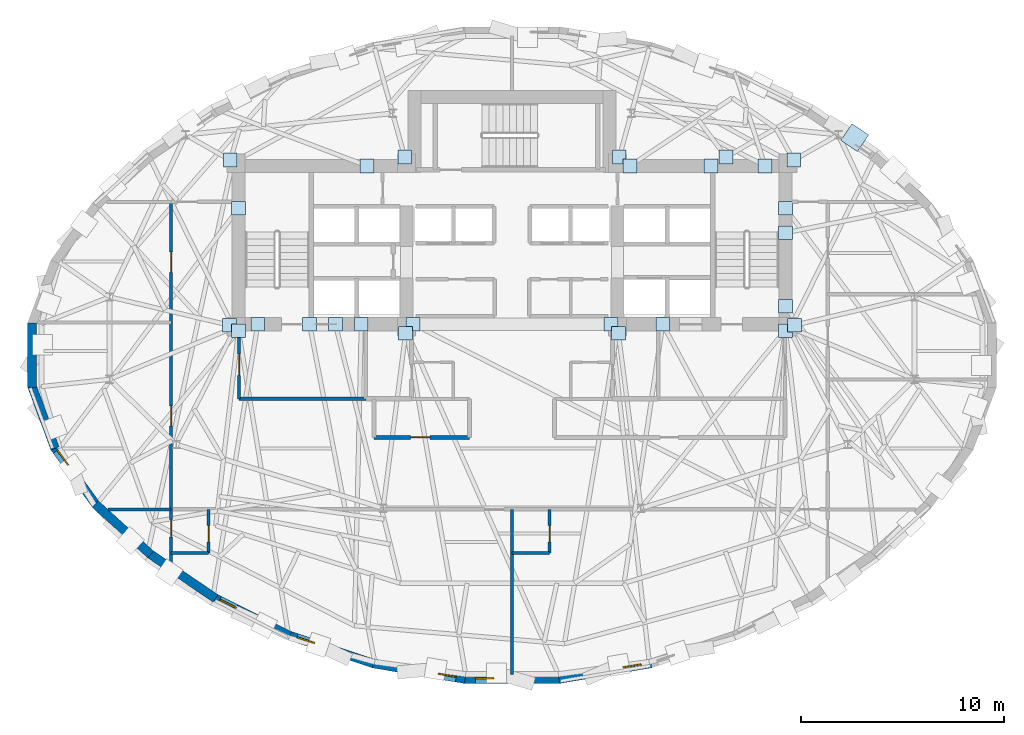
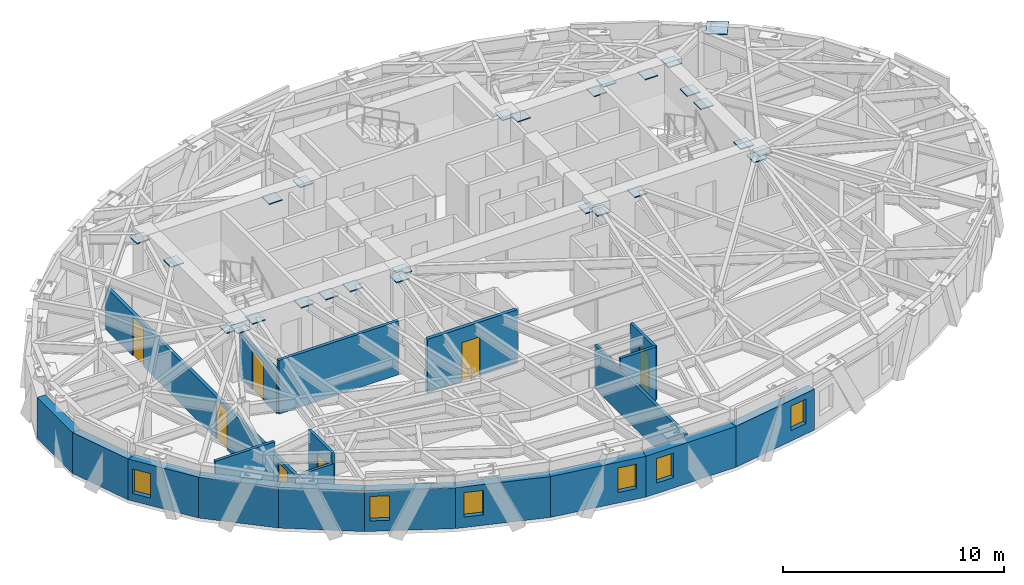
# One storey, part 5 of 12: 27 plates, 20 walls, 7 doors, 6 windows, 13 openings.
"""IFC4 building model written with IfcOpenShell, lengths in metres."""

import ifcopenshell
import ifcopenshell.guid

model = None  # the IFC model being written
_history = None  # IfcOwnerHistory: only IFC2X3 demands one
_inside = {}  # id of a spatial element -> (the spatial element, [elements in it])
_under = {}  # id of a project, library or spatial element -> (it, [spatial elements below it])
_declared = {}  # id of a project -> (the project, [libraries it declares])
_typed = {}  # id of a type object -> (the type object, [elements of that type])
_made_of = {}  # id of a material, layer set ... -> (it, [elements and type objects made of it])


def new_model(schema):
    """Start an empty IFC model of exactly this schema.

    Asked for "IFC4X3", IfcOpenShell would pick the latest addendum, in which some entities
    have other attributes; the version numbers below select the first issue.
    IFC2X3 requires an IfcOwnerHistory on every rooted entity: one is made here for all.
    """
    global model, _history
    if schema == "IFC4X3":
        model = ifcopenshell.file(schema_version=(4, 3, 0, 0))
    else:
        model = ifcopenshell.file(schema=schema)
    _inside.clear()
    _under.clear()
    _declared.clear()
    _typed.clear()
    _made_of.clear()
    _history = None
    if model.schema == "IFC2X3":
        org = make("IfcOrganization", Name="unknown")
        user = make(
            "IfcPersonAndOrganization",
            ThePerson=make("IfcPerson", FamilyName="unknown"),
            TheOrganization=org,
        )
        app = make(
            "IfcApplication",
            ApplicationDeveloper=org,
            Version="unknown",
            ApplicationFullName="unknown",
            ApplicationIdentifier="unknown",
        )
        _history = make(
            "IfcOwnerHistory",
            OwningUser=user,
            OwningApplication=app,
            ChangeAction="ADDED",
            CreationDate=0,
        )
    return model


def make(cls, **values):
    """One entity of the class cls with the attributes given. An attribute that is None is left unset."""
    return model.create_entity(
        cls, **{name: value for name, value in values.items() if value is not None}
    )


def rooted(cls, **values):
    """An entity with a GlobalId (a new one), such as an element, a storey or a relation."""
    return make(cls, GlobalId=ifcopenshell.guid.new(), OwnerHistory=_history, **values)


def si_unit(unit_type, name, prefix=None):
    """IfcSIUnit, for example si_unit("LENGTHUNIT", "METRE", prefix="MILLI")."""
    return make("IfcSIUnit", UnitType=unit_type, Prefix=prefix, Name=name)


def assignment(units):
    """IfcUnitAssignment: the units of a project."""
    return None if units is None else make("IfcUnitAssignment", Units=units)


def point(xyz):
    """IfcCartesianPoint."""
    return None if xyz is None else make("IfcCartesianPoint", Coordinates=xyz)


def direction(xyz):
    """IfcDirection."""
    return None if xyz is None else make("IfcDirection", DirectionRatios=xyz)


def frame(location, z_axis=None, x_axis=None):
    """IfcAxis2Placement3D, a coordinate frame: its origin and axes. An axis left out is left unset."""
    return make(
        "IfcAxis2Placement3D",
        Location=point(location),
        Axis=direction(z_axis),
        RefDirection=direction(x_axis),
    )


def frame_2d(location, x_axis=None):
    """IfcAxis2Placement2D, a coordinate frame in the plane: its origin and x axis."""
    return make(
        "IfcAxis2Placement2D", Location=point(location), RefDirection=direction(x_axis)
    )


def origin():
    """The frame at (0, 0, 0) with its axes left unset."""
    return frame((0.0, 0.0, 0.0))


def origin_2d():
    """The frame at (0, 0) in the plane with its x axis left unset."""
    return frame_2d((0.0, 0.0))


def place(relative_to, where):
    """IfcLocalPlacement: puts the frame where relative to a parent placement (None: the world)."""
    return make(
        "IfcLocalPlacement", PlacementRelTo=relative_to, RelativePlacement=where
    )


def context(
    kind, dimensions, precision=None, world=None, true_north=None, identifier=None
):
    """IfcGeometricRepresentationContext, for example the 3D "Model" context."""
    return make(
        "IfcGeometricRepresentationContext",
        ContextIdentifier=identifier,
        ContextType=kind,
        CoordinateSpaceDimension=dimensions,
        Precision=precision,
        WorldCoordinateSystem=world,
        TrueNorth=true_north,
    )


def subcontext(parent, identifier, kind, view, scale=None):
    """IfcGeometricRepresentationSubContext, for example "Body" below "Model"."""
    return make(
        "IfcGeometricRepresentationSubContext",
        ContextIdentifier=identifier,
        ContextType=kind,
        ParentContext=parent,
        TargetScale=scale,
        TargetView=view,
    )


def project(units=None, contexts=None):
    """IfcProject with its units and contexts."""
    return rooted(
        "IfcProject",
        Name="project",
        RepresentationContexts=contexts,
        UnitsInContext=assignment(units),
    )


def spatial(cls, under=None, at=None, **own):
    """A site, building, storey or space (cls), placed at a placement, below another one or the project."""
    s = rooted(cls, ObjectPlacement=at, **own)
    if under is not None:
        _under.setdefault(under.id(), (under, []))[1].append(s)
    return s


def profile(cls, at=None, kind="AREA", **sizes):
    """A parametric profile (cls). Its sizes go by their IFC names, for example OverallWidth=200.0."""
    return make(cls, ProfileType=kind, Position=at, **sizes)


def rectangle(**sizes):
    """IfcRectangleProfileDef."""
    return profile("IfcRectangleProfileDef", **sizes)


def extrude(swept, where, along, depth):
    """IfcExtrudedAreaSolid: the profile swept, set in the frame where, extruded along a direction by depth."""
    return make(
        "IfcExtrudedAreaSolid",
        SweptArea=swept,
        Position=where,
        ExtrudedDirection=direction(along),
        Depth=depth,
    )


def shape(context_of_items, identifier, shape_type, items):
    """IfcShapeRepresentation: the items that make up one representation, for example the "Body"."""
    return make(
        "IfcShapeRepresentation",
        ContextOfItems=context_of_items,
        RepresentationIdentifier=identifier,
        RepresentationType=shape_type,
        Items=items,
    )


def material(Name=None, Category=None):
    """IfcMaterial."""
    return make("IfcMaterial", Name=Name, Category=Category)


def layer(
    of_material, thickness, ventilated=None, Name=None, Category=None, Priority=None
):
    """IfcMaterialLayer: one layer of a wall or slab, of a material (None: an air gap)."""
    return make(
        "IfcMaterialLayer",
        Material=of_material,
        LayerThickness=thickness,
        IsVentilated=ventilated,
        Name=Name,
        Category=Category,
        Priority=Priority,
    )


def layer_set(layers, Name=None):
    """IfcMaterialLayerSet."""
    return make("IfcMaterialLayerSet", MaterialLayers=layers, LayerSetName=Name)


def made_of(thing, what):
    """Note that an element or type object is made of a material, layer set ...; save() writes the relation."""
    if what is not None:
        _made_of.setdefault(what.id(), (what, []))[1].append(thing)
    return thing


def type_object(cls, material=None, **own):
    """A type object (cls), such as IfcWallType, which elements share."""
    return made_of(rooted(cls, **own), material)


def element(
    cls,
    number,
    at=None,
    inside=None,
    cuts=None,
    type_object=None,
    material=None,
    context=None,
    identifier="Body",
    shape_type=None,
    held_by="IfcProductDefinitionShape",
    body=None,
    shapes=None,
    **own,
):
    """One element of the class cls, such as IfcWall. Its Tag is "e" and its number.

    at: its placement. inside: the storey or other place that contains it. cuts: it is an
    opening in that element (IfcRelVoidsElement). A single representation is given by context,
    identifier, shape_type and body (its items); several are given by shapes. held_by: the class
    of the entity that holds the representations. save() writes the other relations.
    """
    e = rooted(cls, Tag="e%d" % number, ObjectPlacement=at, **own)
    if body is not None:
        shapes = [shape(context, identifier, shape_type, body)]
    if shapes is not None:
        e.Representation = make(held_by, Representations=shapes)
    if inside is not None:
        _inside.setdefault(inside.id(), (inside, []))[1].append(e)
    if cuts is not None:
        rooted(
            "IfcRelVoidsElement", RelatingBuildingElement=cuts, RelatedOpeningElement=e
        )
    if type_object is not None:
        _typed.setdefault(type_object.id(), (type_object, []))[1].append(e)
    return made_of(e, material)


def fill(opening, filler):
    """IfcRelFillsElement: the door or window that sits in an opening."""
    return rooted(
        "IfcRelFillsElement",
        RelatingOpeningElement=opening,
        RelatedBuildingElement=filler,
    )


def aggregate(whole, parts):
    """IfcRelAggregates: a whole, such as a stair, and the parts it consists of."""
    return rooted("IfcRelAggregates", RelatingObject=whole, RelatedObjects=parts)


def save(model, path):
    """Write the relations noted so far, then the file.

    IfcRelAggregates (storeys below a building ...), IfcRelContainedInSpatialStructure (elements
    in a storey), IfcRelDefinesByType, IfcRelAssociatesMaterial and IfcRelDeclares: one each for
    every whole, place, type object, material and project.
    """
    for whole, parts in _under.values():
        aggregate(whole, parts)
    for where, things in _inside.values():
        rooted(
            "IfcRelContainedInSpatialStructure",
            RelatedElements=things,
            RelatingStructure=where,
        )
    for kind, things in _typed.values():
        rooted("IfcRelDefinesByType", RelatedObjects=things, RelatingType=kind)
    for what, things in _made_of.values():
        rooted("IfcRelAssociatesMaterial", RelatedObjects=things, RelatingMaterial=what)
    for by, libraries in _declared.values():
        rooted("IfcRelDeclares", RelatingContext=by, RelatedDefinitions=libraries)
    model.write(path)


model = new_model("IFC4")

# Units and contexts
model_context = context("Model", 3, precision=1e-05, world=origin(), true_north=direction((0.0, 1.0)))
body_context = subcontext(model_context, "Body", "Model", "MODEL_VIEW")
ifc_project = project(units=[si_unit("LENGTHUNIT", "METRE"), si_unit("AREAUNIT", "SQUARE_METRE"), si_unit("VOLUMEUNIT", "CUBIC_METRE"), si_unit("PLANEANGLEUNIT", "RADIAN"), si_unit("MASSUNIT", "GRAM", prefix="KILO")], contexts=[model_context])

# Site, building, storey
site_placement = place(None, origin())
site = spatial("IfcSite", under=ifc_project, at=site_placement, CompositionType="ELEMENT")
building_placement = place(site_placement, origin())
building = spatial("IfcBuilding", under=site, at=building_placement, Name="Keldmark Tower", CompositionType="ELEMENT")
storey_placement = place(building_placement, frame((0.0, 0.0, 198.199951171875)))
storey = spatial("IfcBuildingStorey", under=building, at=storey_placement, Name="L55", CompositionType="ELEMENT", Elevation=198.199951171875)

# Plates
ifc_material_1 = material(Name="Steel ASTM A572 Grade 50", Category="steel")
ifc_layer_1 = layer(ifc_material_1, 0.06005859375)
ifc_layer_set_1 = layer_set([ifc_layer_1], Name="Steel ASTM A572 Grade 50")
plate_type_1 = type_object("IfcPlateType", Name="Belt Truss Kink Node Assembly KN01 60 mm", PredefinedType="USERDEFINED", material=ifc_layer_set_1)
for number, where, z_axis, x_axis, name in (
    (1, (13.91162109375, 1.473388671875, 2.6640625), (0.0, 0.0, 1.0), (1.0, 0.0, 0.0), "L55 Core Wall Cast-In Embed Plate 1617"),
    (2, (13.878173828125, 9.608154296875, 2.6640625), (0.0, 0.0, 1.0), (1.0, 0.0, 0.0), "L55 Core Wall Cast-In Embed Plate 1618"),
    (3, (5.28515625, 9.758544921875, 2.6640625), (0.0, 0.0, 1.0), (1.0, 0.0, 0.0), "L55 Core Wall Cast-In Embed Plate 1619"),
    (4, (-5.28515625, 9.758544921875, 2.6640625), (0.0, 0.0, 1.0), (1.0, 0.0, 0.0), "L55 Core Wall Cast-In Embed Plate 1620"),
    (5, (-13.878173828125, 9.608154296875, 2.6640625), (0.0, 0.0, 1.0), (1.0, 0.0, 0.0), "L55 Core Wall Cast-In Embed Plate 1621"),
    (6, (-13.91162109375, 1.473388671875, 2.6640625), (0.0, 0.0, 1.0), (1.0, 0.0, 0.0), "L55 Core Wall Cast-In Embed Plate 1622"),
    (7, (-5.24072265625, 1.08251953125, 2.6640625), (0.0, 0.0, 1.0), (1.0, 0.0, 0.0), "L55 Core Wall Cast-In Embed Plate 1623"),
    (8, (5.24072265625, 1.08251953125, 2.6640625), (0.0, 0.0, 1.0), (1.0, 0.0, 0.0), "L55 Core Wall Cast-In Embed Plate 1624"),
    (9, (-13.47509765625, 1.199951171875, 2.6640625), (0.0, 0.0, 1.0), (1.0, 0.0, 0.0), "L55 Core Wall Cast-In Embed Plate 1625"),
    (10, (-8.699951171875, 1.52490234375, 2.6640625), (0.0, 0.0, 1.0), (1.0, 0.0, 0.0), "L55 Core Wall Cast-In Embed Plate 1626"),
    (11, (7.425048828125, 1.52490234375, 2.6640625), (0.0, 0.0, 1.0), (1.0, 0.0, 0.0), "L55 Core Wall Cast-In Embed Plate 1627"),
    (12, (13.47509765625, 1.199951171875, 2.6640625), (0.0, 0.0, 1.0), (1.0, 0.0, 0.0), "L55 Core Wall Cast-In Embed Plate 1628"),
    (13, (-7.425048828125, 1.52490234375, 2.6640625), (0.0, 0.0, 1.0), (1.0, 0.0, 0.0), "L55 Core Wall Cast-In Embed Plate 1629"),
    (14, (13.47509765625, 6.028564453125, 2.6640625), (0.0, 0.0, 1.0), (1.0, 0.0, 0.0), "L55 Core Wall Cast-In Embed Plate 1630"),
    (15, (9.8037109375, 9.324951171875, 2.6640625), (0.0, 0.0, 1.0), (1.0, 0.0, 0.0), "L55 Core Wall Cast-In Embed Plate 1631"),
    (16, (10.55029296875, 9.75830078125, 2.6640625), (0.0, 0.0, 1.0), (1.0, 0.0, 0.0), "L55 Core Wall Cast-In Embed Plate 1632"),
    (17, (5.80712890625, 9.324951171875, 2.6640625), (0.0, 0.0, 1.0), (1.0, 0.0, 0.0), "L55 Core Wall Cast-In Embed Plate 1633"),
    (18, (12.468017578125, 9.324951171875, 2.6640625), (0.0, 0.0, 1.0), (1.0, 0.0, 0.0), "L55 Core Wall Cast-In Embed Plate 1634"),
    (19, (-7.139404296875, 9.324951171875, 2.6640625), (0.0, 0.0, 1.0), (1.0, 0.0, 0.0), "L55 Core Wall Cast-In Embed Plate 1635"),
    (20, (-13.47509765625, 7.235595703125, 2.6640625), (0.0, 0.0, 1.0), (1.0, 0.0, 0.0), "L55 Core Wall Cast-In Embed Plate 1636"),
    (21, (-12.52490234375, 1.52490234375, 2.6640625), (0.0, 0.0, 1.0), (1.0, 0.0, 0.0), "L55 Core Wall Cast-In Embed Plate 1637"),
    (22, (-9.97509765625, 1.52490234375, 2.6640625), (0.0, 0.0, 1.0), (1.0, 0.0, 0.0), "L55 Core Wall Cast-In Embed Plate 1638"),
    (23, (4.875, 1.52490234375, 2.6640625), (0.0, 0.0, 1.0), (1.0, 0.0, 0.0), "L55 Core Wall Cast-In Embed Plate 1639"),
    (24, (-4.875, 1.52490234375, 2.6640625), (0.0, 0.0, 1.0), (1.0, 0.0, 0.0), "L55 Core Wall Cast-In Embed Plate 1640"),
    (25, (13.47509765625, 7.235595703125, 2.6640625), (0.0, 0.0, 1.0), (1.0, 0.0, 0.0), "L55 Core Wall Cast-In Embed Plate 1641"),
    (26, (13.47509765625, 2.406982421875, 2.6640625), (0.0, 0.0, 1.0), (1.0, 0.0, 0.0), "L55 Core Wall Cast-In Embed Plate 1642"),
):
    element("IfcPlate", number, at=place(storey_placement, frame(where, z_axis=z_axis, x_axis=x_axis)), inside=storey, type_object=plate_type_1, Name=name, ObjectType="CAP PLATE", PredefinedType="USERDEFINED", context=body_context, shape_type="SweptSolid", body=[
        extrude(rectangle(XDim=0.679931640625, YDim=0.679931640625, at=origin_2d()), origin(), (0.0, 0.0, 1.0), 0.054931640625),
    ])
ifc_material_2 = material(Name="Steel ASTM A572 Grade 50", Category="steel")
ifc_layer_2 = layer(ifc_material_2, 0.044921875)
ifc_layer_set_2 = layer_set([ifc_layer_2], Name="Steel ASTM A572 Grade 50")
plate_type_2 = type_object("IfcPlateType", Name="Diagrid Node Assembly DN04 45 mm", PredefinedType="USERDEFINED", material=ifc_layer_set_2)
plate_placement = place(storey_placement, frame((16.88818359375, 10.71533203125, 2.817626953125), z_axis=(0.0, 0.0, 1.0), x_axis=(-0.827668733006, 0.561216953062, 0.0)))
element("IfcPlate", 27, at=plate_placement, inside=storey, type_object=plate_type_2, Name="L55 Diagrid Node Assembly 04", ObjectType="GUSSET", PredefinedType="USERDEFINED", context=body_context, shape_type="SweptSolid", body=[
    extrude(rectangle(XDim=0.989990234375, YDim=0.989990234375, at=origin_2d()), origin(), (0.0, 0.0, 1.0), 0.044921875),
])

# Wall, opening, door
ifc_material_3 = material(Name="Heavy Acoustic Plumbing Chase Gypsum Assembly", Category="gypsum")
ifc_layer_3 = layer(ifc_material_3, 0.18994140625)
ifc_layer_set_3 = layer_set([ifc_layer_3], Name="Heavy Acoustic Plumbing Chase Gypsum Assembly")
wall_type_1 = type_object("IfcWallType", Name="Heavy Wet Wall 190 mm", PredefinedType="PLUMBINGWALL", material=ifc_layer_set_3)
wall_1_placement = place(storey_placement, frame((-6.800048828125, -4.050048828125, 0.0), z_axis=(0.0, 0.0, 1.0), x_axis=(1.0, 0.0, 0.0)))
wall_1 = element("IfcWall", 28, at=wall_1_placement, inside=storey, type_object=wall_type_1, Name="L55 Heavy Wet Wall 190 mm SPK-W-S", PredefinedType="PLUMBINGWALL", context=body_context, shape_type="SweptSolid", body=[
    extrude(rectangle(XDim=4.699951171875, YDim=0.18994140625, at=frame_2d((2.35009765625, 0.0))), origin(), (0.0, 0.0, 1.0), 2.9599609375),
])
opening_1_placement = place(wall_1_placement, frame((1.800048828125, 0.0, 0.0)))
opening_1 = element("IfcOpeningElement", 29, at=opening_1_placement, cuts=wall_1, Name="Opening D-AWC95", PredefinedType="OPENING", context=body_context, shape_type="SweptSolid", body=[
    extrude(rectangle(XDim=0.949951171875, YDim=2.14990234375, at=frame_2d((0.47509765625, 1.074951171875))), frame((0.0, 0.10498046875, 0.0), z_axis=(0.0, -1.0, 0.0), x_axis=(1.0, 0.0, 0.0)), (0.0, 0.0, 1.0), 0.2099609375),
])
ifc_material_4 = material(Name="Painted Solid-Core Architectural Wood", Category="wood")
door_type_1 = type_object("IfcDoorType", Name="Accessible WC Door 950x2150", OperationType="NOTDEFINED", PredefinedType="DOOR", material=ifc_material_4)
door_1_placement = place(opening_1_placement, origin())
door_1 = element("IfcDoor", 30, at=door_1_placement, inside=storey, type_object=door_type_1, Name="L55 Accessible WC Door 950x2150 D-SPKW1-L55", OperationType="SINGLE_SWING_LEFT", OverallHeight=2.14990234375, OverallWidth=0.949951171875, PredefinedType="DOOR", context=body_context, shape_type="SweptSolid", body=[
    extrude(rectangle(XDim=0.949951171875, YDim=2.14990234375, at=frame_2d((0.47509765625, 1.074951171875))), frame((0.0, 0.02490234375, 0.0), z_axis=(0.0, -1.0, 0.0), x_axis=(1.0, 0.0, 0.0)), (0.0, 0.0, 1.0), 0.050048828125),
])
fill(opening_1, door_1)

# Wall
ifc_material_5 = material(Name="Type X Fire-Rated Gypsum Partition Assembly", Category="gypsum")
ifc_layer_4 = layer(ifc_material_5, 0.1650390625)
ifc_layer_set_4 = layer_set([ifc_layer_4], Name="Type X Fire-Rated Gypsum Partition Assembly")
wall_type_2 = type_object("IfcWallType", Name="Rated Partition 165 mm", PredefinedType="PARTITIONING", material=ifc_layer_set_4)
wall_2_placement = place(storey_placement, frame((-13.449951171875, -2.14990234375, 0.0), z_axis=(0.0, 0.0, 1.0), x_axis=(1.0, 0.0, 0.0)))
element("IfcWall", 31, at=wall_2_placement, inside=storey, type_object=wall_type_2, Name="L55 Rated Partition 165 mm FSAE-W-S", PredefinedType="PARTITIONING", context=body_context, shape_type="SweptSolid", body=[
    extrude(rectangle(XDim=6.25, YDim=0.1650390625, at=frame_2d((3.125, 0.0))), origin(), (0.0, 0.0, 1.0), 2.9599609375),
])

# Wall, opening, door
wall_3_placement = place(storey_placement, frame((-13.449951171875, -2.14990234375, 0.0), z_axis=(0.0, 0.0, 1.0), x_axis=(0.0, 1.0, 0.0)))
wall_3 = element("IfcWall", 32, at=wall_3_placement, inside=storey, type_object=wall_type_2, Name="L55 Rated Partition 165 mm FSAE-W-W", PredefinedType="PARTITIONING", context=body_context, shape_type="SweptSolid", body=[
    extrude(rectangle(XDim=3.39990234375, YDim=0.1650390625, at=frame_2d((1.699951171875, 0.0))), origin(), (0.0, 0.0, 1.0), 2.4130859375),
])
opening_2_placement = place(wall_3_placement, frame((1.14990234375, 0.0, 0.0)))
opening_2 = element("IfcOpeningElement", 33, at=opening_2_placement, cuts=wall_3, Name="Opening D-FL105", PredefinedType="OPENING", context=body_context, shape_type="SweptSolid", body=[
    extrude(rectangle(XDim=1.050048828125, YDim=2.14990234375, at=frame_2d((0.52490234375, 1.074951171875))), frame((0.0, 0.092529296875, 0.0), z_axis=(0.0, -1.0, 0.0), x_axis=(1.0, 0.0, 0.0)), (0.0, 0.0, 1.0), 0.18505859375),
])
ifc_material_6 = material(Name="Fire-Rated Mineral-Core Door and Vision Lite", Category="metal")
door_type_2 = type_object("IfcDoorType", Name="Fire Lobby Door 1050x2150", OperationType="NOTDEFINED", PredefinedType="DOOR", material=ifc_material_6)
door_2_placement = place(opening_2_placement, origin())
door_2 = element("IfcDoor", 34, at=door_2_placement, inside=storey, type_object=door_type_2, Name="L55 Fire Lobby Door 1050x2150 D-FSAEW-OUT-L55", OperationType="SINGLE_SWING_LEFT", OverallHeight=2.14990234375, OverallWidth=1.050048828125, PredefinedType="DOOR", context=body_context, shape_type="SweptSolid", body=[
    extrude(rectangle(XDim=1.050048828125, YDim=2.14990234375, at=frame_2d((0.52490234375, 1.074951171875))), frame((0.0, 0.02490234375, 0.0), z_axis=(0.0, -1.0, 0.0), x_axis=(1.0, 0.0, 0.0)), (0.0, 0.0, 1.0), 0.050048828125),
])
fill(opening_2, door_2)

# Wall, openings, doors
wall_4_placement = place(storey_placement, frame((-16.800048828125, -10.22509765625, 0.0), z_axis=(0.0, 0.0, 1.0), x_axis=(0.0, 1.0, 0.0)))
wall_4 = element("IfcWall", 35, at=wall_4_placement, inside=storey, type_object=wall_type_2, Name="L55 Rated Partition 165 mm HCOR-W", PredefinedType="PARTITIONING", context=body_context, shape_type="SweptSolid", body=[
    extrude(rectangle(XDim=17.775146484375, YDim=0.1650390625, at=frame_2d((8.8876953125, 0.0))), origin(), (0.0, 0.0, 1.0), 2.338134765625),
])
opening_3_placement = place(wall_4_placement, frame((1.2744140625, 0.0, 0.0)))
opening_3 = element("IfcOpeningElement", 36, at=opening_3_placement, cuts=wall_4, Name="Opening D-IN085", PredefinedType="OPENING", context=body_context, shape_type="SweptSolid", body=[
    extrude(rectangle(XDim=0.85009765625, YDim=2.10009765625, at=frame_2d((0.425048828125, 1.050048828125))), frame((0.0, 0.092529296875, 0.0), z_axis=(0.0, -1.0, 0.0), x_axis=(1.0, 0.0, 0.0)), (0.0, 0.0, 1.0), 0.18505859375),
])
opening_4_placement = place(wall_4_placement, frame((6.724609375, 0.0, 0.0)))
opening_4 = element("IfcOpeningElement", 37, at=opening_4_placement, cuts=wall_4, Name="Opening D-FD100", PredefinedType="OPENING", context=body_context, shape_type="SweptSolid", body=[
    extrude(rectangle(XDim=1.0, YDim=2.14990234375, at=frame_2d((0.5, 1.074951171875))), frame((0.0, 0.092529296875, 0.0), z_axis=(0.0, -1.0, 0.0), x_axis=(1.0, 0.0, 0.0)), (0.0, 0.0, 1.0), 0.18505859375),
])
opening_5_placement = place(wall_4_placement, frame((14.299560546875, 0.0, 0.0)))
opening_5 = element("IfcOpeningElement", 38, at=opening_5_placement, cuts=wall_4, Name="Opening D-FD100", PredefinedType="OPENING", context=body_context, shape_type="SweptSolid", body=[
    extrude(rectangle(XDim=1.0, YDim=2.14990234375, at=frame_2d((0.5, 1.074951171875))), frame((0.0, 0.092529296875, 0.0), z_axis=(0.0, -1.0, 0.0), x_axis=(1.0, 0.0, 0.0)), (0.0, 0.0, 1.0), 0.18505859375),
])
ifc_material_7 = material(Name="Hollow Metal Fire-Rated Corridor Door", Category="metal")
door_type_3 = type_object("IfcDoorType", Name="Fire Door 1000x2150", OperationType="NOTDEFINED", PredefinedType="DOOR", material=ifc_material_7)
door_3_placement = place(opening_4_placement, origin())
door_3 = element("IfcDoor", 39, at=door_3_placement, inside=storey, type_object=door_type_3, Name="L55 Fire Door 1000x2150 D-HWSP-1-L55", OperationType="SINGLE_SWING_RIGHT", OverallHeight=2.14990234375, OverallWidth=1.0, PredefinedType="DOOR", context=body_context, shape_type="SweptSolid", body=[
    extrude(rectangle(XDim=1.0, YDim=2.14990234375, at=frame_2d((0.5, 1.074951171875))), frame((0.0, 0.02490234375, 0.0), z_axis=(0.0, -1.0, 0.0), x_axis=(1.0, 0.0, 0.0)), (0.0, 0.0, 1.0), 0.050048828125),
])
fill(opening_4, door_3)
door_4_placement = place(opening_5_placement, origin())
door_4 = element("IfcDoor", 40, at=door_4_placement, inside=storey, type_object=door_type_3, Name="L55 Fire Door 1000x2150 D-HWSP-2-L55", OperationType="SINGLE_SWING_LEFT", OverallHeight=2.14990234375, OverallWidth=1.0, PredefinedType="DOOR", context=body_context, shape_type="SweptSolid", body=[
    extrude(rectangle(XDim=1.0, YDim=2.14990234375, at=frame_2d((0.5, 1.074951171875))), frame((0.0, 0.02490234375, 0.0), z_axis=(0.0, -1.0, 0.0), x_axis=(1.0, 0.0, 0.0)), (0.0, 0.0, 1.0), 0.050048828125),
])
fill(opening_5, door_4)
ifc_material_8 = material(Name="Painted Architectural Wood", Category="wood")
door_type_4 = type_object("IfcDoorType", Name="Interior Door 850x2100", OperationType="NOTDEFINED", PredefinedType="DOOR", material=ifc_material_8)
door_5_placement = place(opening_3_placement, origin())
door_5 = element("IfcDoor", 41, at=door_5_placement, inside=storey, type_object=door_type_4, Name="L55 Interior Door 850x2100 D-HKSW-L55", OperationType="SINGLE_SWING_LEFT", OverallHeight=2.10009765625, OverallWidth=0.85009765625, PredefinedType="DOOR", context=body_context, shape_type="SweptSolid", body=[
    extrude(rectangle(XDim=0.85009765625, YDim=2.10009765625, at=frame_2d((0.425048828125, 1.050048828125))), frame((0.0, 0.02490234375, 0.0), z_axis=(0.0, -1.0, 0.0), x_axis=(1.0, 0.0, 0.0)), (0.0, 0.0, 1.0), 0.050048828125),
])
fill(opening_3, door_5)

# Walls
ifc_material_9 = material(Name="Ironspot Manganese Brick and Kasota Buff Limestone Spandrel Assembly", Category="masonry")
ifc_layer_5 = layer(ifc_material_9, 0.43994140625)
ifc_layer_set_5 = layer_set([ifc_layer_5], Name="Ironspot Manganese Brick and Kasota Buff Limestone Spandrel Assembly")
wall_type_3 = type_object("IfcWallType", Name="Tower Brick Pier and Spandrel Wall 440 mm", PredefinedType="STANDARD", material=ifc_layer_set_5)
wall_5_placement = place(storey_placement, frame((-23.644287109375, -1.593505859375, 0.0), z_axis=(0.0, 0.0, 1.0), x_axis=(0.0, 1.0, 0.0)))
element("IfcWall", 42, at=wall_5_placement, inside=storey, type_object=wall_type_3, Name="L55 Exterior Brick and Spandrel Wall 16", PredefinedType="STANDARD", context=body_context, shape_type="SweptSolid", body=[
    extrude(rectangle(XDim=3.18701171875, YDim=0.43994140625, at=frame_2d((1.593505859375, 0.0))), origin(), (0.0, 0.0, 1.0), 2.259033203125),
])
wall_6_placement = place(storey_placement, frame((-22.51904296875, -4.597412109375, 0.0), z_axis=(0.0, 0.0, 1.0), x_axis=(-0.346793746495, 0.937941414691, 0.0)))
element("IfcWall", 43, at=wall_6_placement, inside=storey, type_object=wall_type_3, Name="L55 Exterior Brick and Spandrel Wall 17", PredefinedType="STANDARD", context=body_context, shape_type="SweptSolid", body=[
    extrude(rectangle(XDim=3.2841796875, YDim=0.43994140625, at=frame_2d((1.64208984375, 0.0))), origin(), (0.0, 0.0, 1.0), 2.255126953125),
])

# Wall, opening, window
wall_7_placement = place(storey_placement, frame((-20.504638671875, -7.3662109375, 0.0), z_axis=(0.0, 0.0, 1.0), x_axis=(-0.586378206793, 0.810037405678, 0.0)))
wall_7 = element("IfcWall", 44, at=wall_7_placement, inside=storey, type_object=wall_type_3, Name="L55 Exterior Brick and Spandrel Wall 18", PredefinedType="STANDARD", context=body_context, shape_type="SweptSolid", body=[
    extrude(rectangle(XDim=3.483154296875, YDim=0.43994140625, at=frame_2d((1.74169921875, 0.0))), origin(), (0.0, 0.0, 1.0), 2.255126953125),
])
opening_6_placement = place(wall_7_placement, frame((2.383056640625, 0.0, 0.419921875)))
opening_6 = element("IfcOpeningElement", 45, at=opening_6_placement, cuts=wall_7, Name="Opening W-09", PredefinedType="OPENING", context=body_context, shape_type="SweptSolid", body=[
    extrude(rectangle(XDim=0.89990234375, YDim=1.35009765625, at=frame_2d((0.449951171875, 0.675048828125))), frame((0.0, 0.22998046875, 0.0), z_axis=(0.0, -1.0, 0.0), x_axis=(1.0, 0.0, 0.0)), (0.0, 0.0, 1.0), 0.4599609375),
])
ifc_material_10 = material(Name="Thermally Broken Anodized Aluminum and Triple Low-E Argon Glazing", Category="aluminium")
window_type = type_object("IfcWindowType", Name="Corner Pier Deep-Set Window 900x1350", PartitioningType="SINGLE_PANEL", PredefinedType="WINDOW", material=ifc_material_10)
window_1_placement = place(opening_6_placement, origin())
window_1 = element("IfcWindow", 46, at=window_1_placement, inside=storey, type_object=window_type, Name="L55 Deep-Set Window 18", OverallHeight=1.35009765625, OverallWidth=0.89990234375, PartitioningType="SINGLE_PANEL", PredefinedType="WINDOW", context=body_context, shape_type="SweptSolid", body=[
    extrude(rectangle(XDim=0.89990234375, YDim=1.35009765625, at=frame_2d((0.449951171875, 0.675048828125))), frame((0.0, -0.010009765625, 0.0), z_axis=(0.0, -1.0, 0.0), x_axis=(1.0, 0.0, 0.0)), (0.0, 0.0, 1.0), 0.06005859375),
])
fill(opening_6, window_1)

# Walls
wall_8_placement = place(storey_placement, frame((-17.80126953125, -9.824462890625, 0.0), z_axis=(0.0, 0.0, 1.0), x_axis=(-0.738992571182, 0.67371357396, 0.0)))
element("IfcWall", 47, at=wall_8_placement, inside=storey, type_object=wall_type_3, Name="L55 Exterior Brick and Spandrel Wall 19", PredefinedType="STANDARD", context=body_context, shape_type="SweptSolid", body=[
    extrude(rectangle(XDim=3.69873046875, YDim=0.43994140625, at=frame_2d((1.849365234375, 0.0))), origin(), (0.0, 0.0, 1.0), 2.255126953125),
])
wall_9_placement = place(storey_placement, frame((-14.607421875, -11.987060546875, 0.0), z_axis=(0.0, 0.0, 1.0), x_axis=(-0.827697624009, 0.561174342972, 0.0)))
element("IfcWall", 48, at=wall_9_placement, inside=storey, type_object=wall_type_3, Name="L55 Exterior Brick and Spandrel Wall 20", PredefinedType="STANDARD", context=body_context, shape_type="SweptSolid", body=[
    extrude(rectangle(XDim=3.888427734375, YDim=0.43994140625, at=frame_2d((1.9443359375, 0.0))), origin(), (0.0, 0.0, 1.0), 2.255126953125),
])

# Wall, opening, window
wall_10_placement = place(storey_placement, frame((-10.956298828125, -13.825927734375, 0.0), z_axis=(0.0, 0.0, 1.0), x_axis=(-0.892939479035, 0.450176728387, 0.0)))
wall_10 = element("IfcWall", 49, at=wall_10_placement, inside=storey, type_object=wall_type_3, Name="L55 Exterior Brick and Spandrel Wall 21", PredefinedType="STANDARD", context=body_context, shape_type="SweptSolid", body=[
    extrude(rectangle(XDim=4.1162109375, YDim=0.43994140625, at=frame_2d((2.05810546875, 0.0))), origin(), (0.0, 0.0, 1.0), 2.255126953125),
])
opening_7_placement = place(wall_10_placement, frame((2.966796875, 0.0, 0.580078125)))
opening_7 = element("IfcOpeningElement", 50, at=opening_7_placement, cuts=wall_10, Name="Opening W-09", PredefinedType="OPENING", context=body_context, shape_type="SweptSolid", body=[
    extrude(rectangle(XDim=0.89990234375, YDim=1.35009765625, at=frame_2d((0.449951171875, 0.675048828125))), frame((0.0, 0.22998046875, 0.0), z_axis=(0.0, -1.0, 0.0), x_axis=(1.0, 0.0, 0.0)), (0.0, 0.0, 1.0), 0.4599609375),
])
window_2_placement = place(opening_7_placement, origin())
window_2 = element("IfcWindow", 51, at=window_2_placement, inside=storey, type_object=window_type, Name="L55 Deep-Set Window 21", OverallHeight=1.35009765625, OverallWidth=0.89990234375, PartitioningType="SINGLE_PANEL", PredefinedType="WINDOW", context=body_context, shape_type="SweptSolid", body=[
    extrude(rectangle(XDim=0.89990234375, YDim=1.35009765625, at=frame_2d((0.449951171875, 0.675048828125))), frame((0.0, -0.010009765625, 0.0), z_axis=(0.0, -1.0, 0.0), x_axis=(1.0, 0.0, 0.0)), (0.0, 0.0, 1.0), 0.06005859375),
])
fill(opening_7, window_2)

wall_11_placement = place(storey_placement, frame((-6.82421875, -15.1982421875, 0.0), z_axis=(0.0, 0.0, 1.0), x_axis=(-0.94886128517, 0.315693302916, 0.0)))
wall_11 = element("IfcWall", 52, at=wall_11_placement, inside=storey, type_object=wall_type_3, Name="L55 Exterior Brick and Spandrel Wall 22", PredefinedType="STANDARD", context=body_context, shape_type="SweptSolid", body=[
    extrude(rectangle(XDim=4.3857421875, YDim=0.43994140625, at=frame_2d((2.19287109375, 0.0))), origin(), (0.0, 0.0, 1.0), 2.255126953125),
])
opening_8_placement = place(wall_11_placement, frame((3.086669921875, 0.0, 0.580078125)))
opening_8 = element("IfcOpeningElement", 53, at=opening_8_placement, cuts=wall_11, Name="Opening W-09", PredefinedType="OPENING", context=body_context, shape_type="SweptSolid", body=[
    extrude(rectangle(XDim=0.89990234375, YDim=1.35009765625, at=frame_2d((0.449951171875, 0.675048828125))), frame((0.0, 0.22998046875, 0.0), z_axis=(0.0, -1.0, 0.0), x_axis=(1.0, 0.0, 0.0)), (0.0, 0.0, 1.0), 0.4599609375),
])
window_3_placement = place(opening_8_placement, origin())
window_3 = element("IfcWindow", 54, at=window_3_placement, inside=storey, type_object=window_type, Name="L55 Deep-Set Window 22", OverallHeight=1.35009765625, OverallWidth=0.89990234375, PartitioningType="SINGLE_PANEL", PredefinedType="WINDOW", context=body_context, shape_type="SweptSolid", body=[
    extrude(rectangle(XDim=0.89990234375, YDim=1.35009765625, at=frame_2d((0.449951171875, 0.675048828125))), frame((0.0, -0.010009765625, 0.0), z_axis=(0.0, -1.0, 0.0), x_axis=(1.0, 0.0, 0.0)), (0.0, 0.0, 1.0), 0.06005859375),
])
fill(opening_8, window_3)

wall_12_placement = place(storey_placement, frame((-2.3134765625, -15.96240234375, 0.0), z_axis=(0.0, 0.0, 1.0), x_axis=(-0.985860485502, 0.167568204398, 0.0)))
wall_12 = element("IfcWall", 55, at=wall_12_placement, inside=storey, type_object=wall_type_3, Name="L55 Exterior Brick and Spandrel Wall 23", PredefinedType="STANDARD", context=body_context, shape_type="SweptSolid", body=[
    extrude(rectangle(XDim=4.6083984375, YDim=0.43994140625, at=frame_2d((2.30419921875, 0.0))), origin(), (0.0, 0.0, 1.0), 2.255126953125),
])
opening_9_placement = place(wall_12_placement, frame((0.447021484375, 0.0, 0.580078125)))
opening_9 = element("IfcOpeningElement", 56, at=opening_9_placement, cuts=wall_12, Name="Opening W-09", PredefinedType="OPENING", context=body_context, shape_type="SweptSolid", body=[
    extrude(rectangle(XDim=0.89990234375, YDim=1.35009765625, at=frame_2d((0.449951171875, 0.675048828125))), frame((0.0, 0.22998046875, 0.0), z_axis=(0.0, -1.0, 0.0), x_axis=(1.0, 0.0, 0.0)), (0.0, 0.0, 1.0), 0.4599609375),
])
window_4_placement = place(opening_9_placement, origin())
window_4 = element("IfcWindow", 57, at=window_4_placement, inside=storey, type_object=window_type, Name="L55 Deep-Set Window 23", OverallHeight=1.35009765625, OverallWidth=0.89990234375, PartitioningType="SINGLE_PANEL", PredefinedType="WINDOW", context=body_context, shape_type="SweptSolid", body=[
    extrude(rectangle(XDim=0.89990234375, YDim=1.35009765625, at=frame_2d((0.449951171875, 0.675048828125))), frame((0.0, -0.010009765625, 0.0), z_axis=(0.0, -1.0, 0.0), x_axis=(1.0, 0.0, 0.0)), (0.0, 0.0, 1.0), 0.06005859375),
])
fill(opening_9, window_4)

wall_13_placement = place(storey_placement, frame((2.350341796875, -15.959228515625, 0.0), z_axis=(0.0, 0.0, 1.0), x_axis=(-1.0, 0.0, 0.0)))
wall_13 = element("IfcWall", 58, at=wall_13_placement, inside=storey, type_object=wall_type_3, Name="L55 Exterior Brick and Spandrel Wall 24", PredefinedType="STANDARD", context=body_context, shape_type="SweptSolid", body=[
    extrude(rectangle(XDim=4.70068359375, YDim=0.43994140625, at=frame_2d((2.350341796875, 0.0))), origin(), (0.0, 0.0, 1.0), 2.255126953125),
])
opening_10_placement = place(wall_13_placement, frame((3.255859375, 0.0, 0.580078125)))
opening_10 = element("IfcOpeningElement", 59, at=opening_10_placement, cuts=wall_13, Name="Opening W-09", PredefinedType="OPENING", context=body_context, shape_type="SweptSolid", body=[
    extrude(rectangle(XDim=0.89990234375, YDim=1.35009765625, at=frame_2d((0.449951171875, 0.675048828125))), frame((0.0, 0.22998046875, 0.0), z_axis=(0.0, -1.0, 0.0), x_axis=(1.0, 0.0, 0.0)), (0.0, 0.0, 1.0), 0.4599609375),
])
window_5_placement = place(opening_10_placement, origin())
window_5 = element("IfcWindow", 60, at=window_5_placement, inside=storey, type_object=window_type, Name="L55 Deep-Set Window 24", OverallHeight=1.35009765625, OverallWidth=0.89990234375, PartitioningType="SINGLE_PANEL", PredefinedType="WINDOW", context=body_context, shape_type="SweptSolid", body=[
    extrude(rectangle(XDim=0.89990234375, YDim=1.35009765625, at=frame_2d((0.449951171875, 0.675048828125))), frame((0.0, -0.010009765625, 0.0), z_axis=(0.0, -1.0, 0.0), x_axis=(1.0, 0.0, 0.0)), (0.0, 0.0, 1.0), 0.06005859375),
])
fill(opening_10, window_5)

wall_14_placement = place(storey_placement, frame((6.856689453125, -15.190185546875, 0.0), z_axis=(0.0, 0.0, 1.0), x_axis=(-0.985860485502, -0.167568204398, 0.0)))
wall_14 = element("IfcWall", 61, at=wall_14_placement, inside=storey, type_object=wall_type_3, Name="L55 Exterior Brick and Spandrel Wall 25", PredefinedType="STANDARD", context=body_context, shape_type="SweptSolid", body=[
    extrude(rectangle(XDim=4.6083984375, YDim=0.43994140625, at=frame_2d((2.30419921875, 0.0))), origin(), (0.0, 0.0, 1.0), 2.255126953125),
])
opening_11_placement = place(wall_14_placement, frame((0.496337890625, 0.0, 0.580078125)))
opening_11 = element("IfcOpeningElement", 62, at=opening_11_placement, cuts=wall_14, Name="Opening W-09", PredefinedType="OPENING", context=body_context, shape_type="SweptSolid", body=[
    extrude(rectangle(XDim=0.89990234375, YDim=1.35009765625, at=frame_2d((0.449951171875, 0.675048828125))), frame((0.0, 0.22998046875, 0.0), z_axis=(0.0, -1.0, 0.0), x_axis=(1.0, 0.0, 0.0)), (0.0, 0.0, 1.0), 0.4599609375),
])
window_6_placement = place(opening_11_placement, origin())
window_6 = element("IfcWindow", 63, at=window_6_placement, inside=storey, type_object=window_type, Name="L55 Deep-Set Window 25", OverallHeight=1.35009765625, OverallWidth=0.89990234375, PartitioningType="SINGLE_PANEL", PredefinedType="WINDOW", context=body_context, shape_type="SweptSolid", body=[
    extrude(rectangle(XDim=0.89990234375, YDim=1.35009765625, at=frame_2d((0.449951171875, 0.675048828125))), frame((0.0, -0.010009765625, 0.0), z_axis=(0.0, -1.0, 0.0), x_axis=(1.0, 0.0, 0.0)), (0.0, 0.0, 1.0), 0.06005859375),
])
fill(opening_11, window_6)

# Walls
ifc_material_11 = material(Name="Moisture-Resistant Gypsum Plumbing Partition", Category="gypsum")
ifc_layer_6 = layer(ifc_material_11, 0.14990234375)
ifc_layer_set_6 = layer_set([ifc_layer_6], Name="Moisture-Resistant Gypsum Plumbing Partition")
wall_type_4 = type_object("IfcWallType", Name="Wet Wall 150 mm", PredefinedType="PLUMBINGWALL", material=ifc_layer_set_6)
wall_15_placement = place(storey_placement, frame((-19.90283203125, -7.60009765625, 0.0), z_axis=(0.0, 0.0, 1.0), x_axis=(1.0, 0.0, 0.0)))
element("IfcWall", 64, at=wall_15_placement, inside=storey, type_object=wall_type_4, Name="L55 Wet Wall 150 mm HW-CAP-S", PredefinedType="PLUMBINGWALL", context=body_context, shape_type="SweptSolid", body=[
    extrude(rectangle(XDim=3.102783203125, YDim=0.14990234375, at=frame_2d((1.55126953125, 0.0))), origin(), (0.0, 0.0, 1.0), 2.9599609375),
])
wall_16_placement = place(storey_placement, frame((0.0, -15.731201171875, 0.0), z_axis=(0.0, 0.0, 1.0), x_axis=(0.0, 1.0, 0.0)))
element("IfcWall", 65, at=wall_16_placement, inside=storey, type_object=wall_type_4, Name="L55 Wet Wall 150 mm HS-DIV-1", PredefinedType="PLUMBINGWALL", context=body_context, shape_type="SweptSolid", body=[
    extrude(rectangle(XDim=8.131103515625, YDim=0.14990234375, at=frame_2d((4.0654296875, 0.0))), origin(), (0.0, 0.0, 1.0), 2.4130859375),
])

# Wall, opening, door
wall_17_placement = place(storey_placement, frame((-14.949951171875, -9.75, 0.0), z_axis=(0.0, 0.0, 1.0), x_axis=(0.0, 1.0, 0.0)))
wall_17 = element("IfcWall", 66, at=wall_17_placement, inside=storey, type_object=wall_type_4, Name="L55 Wet Wall 150 mm HB-S1-E", PredefinedType="PLUMBINGWALL", context=body_context, shape_type="SweptSolid", body=[
    extrude(rectangle(XDim=2.14990234375, YDim=0.14990234375, at=frame_2d((1.074951171875, 0.0))), origin(), (0.0, 0.0, 1.0), 2.9599609375),
])
opening_12_placement = place(wall_17_placement, frame((0.550048828125, 0.0, 0.0)))
opening_12 = element("IfcOpeningElement", 67, at=opening_12_placement, cuts=wall_17, Name="Opening D-BT080", PredefinedType="OPENING", context=body_context, shape_type="SweptSolid", body=[
    extrude(rectangle(XDim=0.800048828125, YDim=2.10009765625, at=frame_2d((0.39990234375, 1.050048828125))), frame((0.0, 0.0849609375, 0.0), z_axis=(0.0, -1.0, 0.0), x_axis=(1.0, 0.0, 0.0)), (0.0, 0.0, 1.0), 0.169921875),
])
ifc_material_12 = material(Name="Moisture-Sealed Stained Wood", Category="wood")
door_type_5 = type_object("IfcDoorType", Name="Bathroom Door 800x2100", OperationType="NOTDEFINED", PredefinedType="DOOR", material=ifc_material_12)
door_6_placement = place(opening_12_placement, origin())
door_6 = element("IfcDoor", 68, at=door_6_placement, inside=storey, type_object=door_type_5, Name="L55 Bathroom Door 800x2100 D-HBS1-L55", OperationType="SINGLE_SWING_RIGHT", OverallHeight=2.10009765625, OverallWidth=0.800048828125, PredefinedType="DOOR", context=body_context, shape_type="SweptSolid", body=[
    extrude(rectangle(XDim=0.800048828125, YDim=2.10009765625, at=frame_2d((0.39990234375, 1.050048828125))), frame((0.0, 0.02490234375, 0.0), z_axis=(0.0, -1.0, 0.0), x_axis=(1.0, 0.0, 0.0)), (0.0, 0.0, 1.0), 0.050048828125),
])
fill(opening_12, door_6)

# Wall
wall_18_placement = place(storey_placement, frame((-16.800048828125, -9.75, 0.0), z_axis=(0.0, 0.0, 1.0), x_axis=(1.0, 0.0, 0.0)))
element("IfcWall", 69, at=wall_18_placement, inside=storey, type_object=wall_type_4, Name="L55 Wet Wall 150 mm HB-S1-S", PredefinedType="PLUMBINGWALL", context=body_context, shape_type="SweptSolid", body=[
    extrude(rectangle(XDim=1.85009765625, YDim=0.14990234375, at=frame_2d((0.925048828125, 0.0))), origin(), (0.0, 0.0, 1.0), 2.4130859375),
])

# Wall, opening, door
wall_19_placement = place(storey_placement, frame((1.85009765625, -9.75, 0.0), z_axis=(0.0, 0.0, 1.0), x_axis=(0.0, 1.0, 0.0)))
wall_19 = element("IfcWall", 70, at=wall_19_placement, inside=storey, type_object=wall_type_4, Name="L55 Wet Wall 150 mm HB-S2-E", PredefinedType="PLUMBINGWALL", context=body_context, shape_type="SweptSolid", body=[
    extrude(rectangle(XDim=2.14990234375, YDim=0.14990234375, at=frame_2d((1.074951171875, 0.0))), origin(), (0.0, 0.0, 1.0), 2.9599609375),
])
opening_13_placement = place(wall_19_placement, frame((0.550048828125, 0.0, 0.0)))
opening_13 = element("IfcOpeningElement", 71, at=opening_13_placement, cuts=wall_19, Name="Opening D-BT080", PredefinedType="OPENING", context=body_context, shape_type="SweptSolid", body=[
    extrude(rectangle(XDim=0.800048828125, YDim=2.10009765625, at=frame_2d((0.39990234375, 1.050048828125))), frame((0.0, 0.0849609375, 0.0), z_axis=(0.0, -1.0, 0.0), x_axis=(1.0, 0.0, 0.0)), (0.0, 0.0, 1.0), 0.169921875),
])
door_7_placement = place(opening_13_placement, origin())
door_7 = element("IfcDoor", 72, at=door_7_placement, inside=storey, type_object=door_type_5, Name="L55 Bathroom Door 800x2100 D-HBS2-L55", OperationType="SINGLE_SWING_RIGHT", OverallHeight=2.10009765625, OverallWidth=0.800048828125, PredefinedType="DOOR", context=body_context, shape_type="SweptSolid", body=[
    extrude(rectangle(XDim=0.800048828125, YDim=2.10009765625, at=frame_2d((0.39990234375, 1.050048828125))), frame((0.0, 0.02490234375, 0.0), z_axis=(0.0, -1.0, 0.0), x_axis=(1.0, 0.0, 0.0)), (0.0, 0.0, 1.0), 0.050048828125),
])
fill(opening_13, door_7)

# Wall
wall_20_placement = place(storey_placement, frame((0.0, -9.75, 0.0), z_axis=(0.0, 0.0, 1.0), x_axis=(1.0, 0.0, 0.0)))
element("IfcWall", 73, at=wall_20_placement, inside=storey, type_object=wall_type_4, Name="L55 Wet Wall 150 mm HB-S2-S", PredefinedType="PLUMBINGWALL", context=body_context, shape_type="SweptSolid", body=[
    extrude(rectangle(XDim=1.85009765625, YDim=0.14990234375, at=frame_2d((0.925048828125, 0.0))), origin(), (0.0, 0.0, 1.0), 2.9599609375),
])

save(model, "model.ifc")
